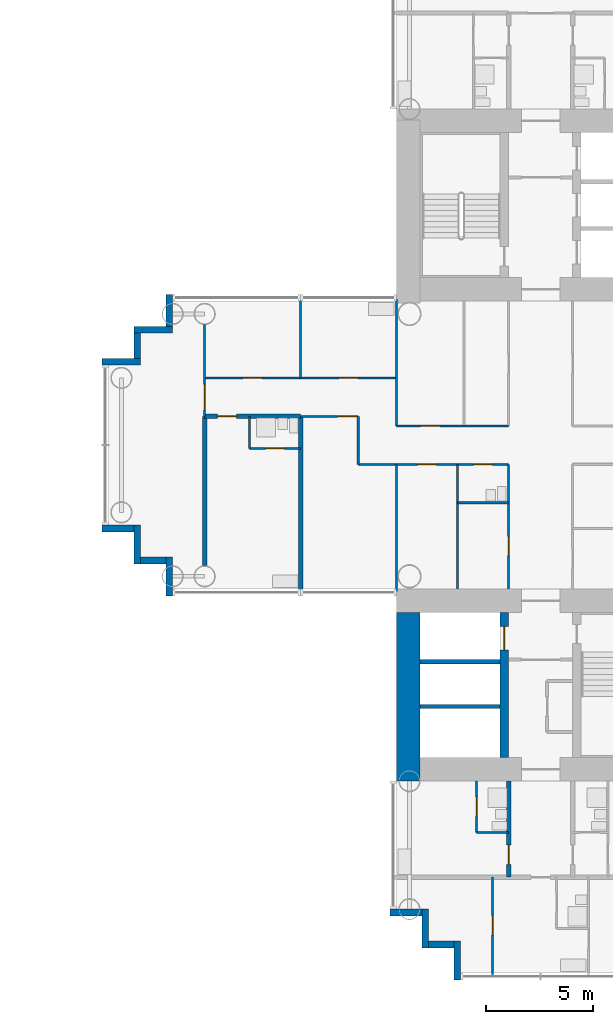
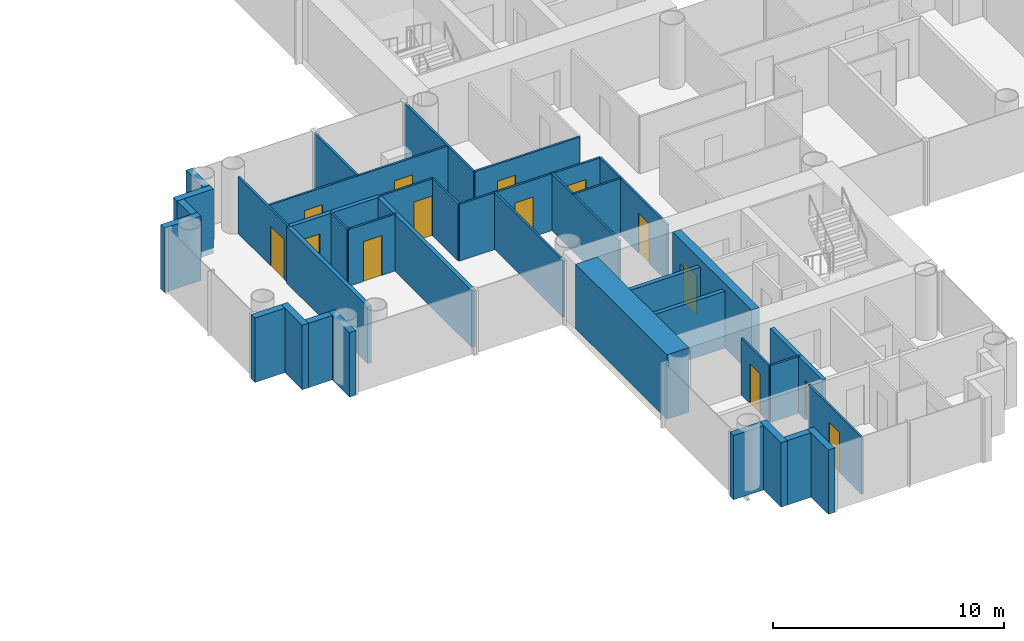
# One storey, part 12 of 21: 37 walls, 14 doors, 14 openings.
"""IFC4 building model written with IfcOpenShell, lengths in metres."""

from ifc_helpers import new_model, si_unit, direction, frame, frame_2d, origin, place, context, subcontext, project, spatial, rectangle, extrude, material, layer, layer_set, type_object, element, fill, save


model = new_model("IFC4")

# Units and contexts
model_context = context("Model", 3, precision=1e-05, world=origin(), true_north=direction((0.0, 1.0)))
body_context = subcontext(model_context, "Body", "Model", "MODEL_VIEW")
ifc_project = project(units=[si_unit("LENGTHUNIT", "METRE"), si_unit("AREAUNIT", "SQUARE_METRE"), si_unit("VOLUMEUNIT", "CUBIC_METRE"), si_unit("PLANEANGLEUNIT", "RADIAN"), si_unit("MASSUNIT", "GRAM", prefix="KILO")], contexts=[model_context])

# Site, building, storey
site_placement = place(None, origin())
site = spatial("IfcSite", under=ifc_project, at=site_placement, CompositionType="ELEMENT")
building_placement = place(site_placement, origin())
building = spatial("IfcBuilding", under=site, at=building_placement, Name="Ipe Terrace Towers", CompositionType="ELEMENT")
storey_placement = place(building_placement, frame((0.0, 0.0, 48.300048828125)))
storey = spatial("IfcBuildingStorey", under=building, at=storey_placement, Name="L12", CompositionType="ELEMENT", Elevation=48.300048828125)

# Walls
ifc_material_1 = material(Name="Concrete C40/50 with buff precast cladding", Category="concrete")
ifc_layer_1 = layer(ifc_material_1, 0.320068359375)
ifc_layer_set_1 = layer_set([ifc_layer_1], Name="BUFF CLADDING WALL 320")
wall_type_1 = type_object("IfcWallType", Name="BUFF CLADDING WALL 320", PredefinedType="STANDARD", material=ifc_layer_set_1)
wall_1_placement = place(storey_placement, frame((18.590087890625, 7.070068359375, -0.300048828125), z_axis=(0.0, 0.0, 1.0), x_axis=(0.0, -1.0, 0.0)))
element("IfcWall", 1, at=wall_1_placement, inside=storey, type_object=wall_type_1, Name="T2-W-L12-34a wall", PredefinedType="STANDARD", context=body_context, shape_type="SweptSolid", body=[
    extrude(rectangle(XDim=1.5, YDim=0.320068359375, at=frame_2d((0.75, 0.0))), origin(), (0.0, 0.0, 1.0), 3.39990234375),
])
wall_2_placement = place(storey_placement, frame((18.75, 5.409912109375, -0.300048828125), z_axis=(0.0, 0.0, 1.0), x_axis=(-1.0, 0.0, 0.0)))
element("IfcWall", 2, at=wall_2_placement, inside=storey, type_object=wall_type_1, Name="T2-W-L12-35a wall", PredefinedType="STANDARD", context=body_context, shape_type="SweptSolid", body=[
    extrude(rectangle(XDim=1.820068359375, YDim=0.320068359375, at=frame_2d((0.91015625, 0.0))), origin(), (0.0, 0.0, 1.0), 3.39990234375),
])
wall_3_placement = place(storey_placement, frame((17.090087890625, 5.25, -0.300048828125), z_axis=(0.0, 0.0, 1.0), x_axis=(0.0, -1.0, 0.0)))
element("IfcWall", 3, at=wall_3_placement, inside=storey, type_object=wall_type_1, Name="T2-W-L12-36a wall", PredefinedType="STANDARD", context=body_context, shape_type="SweptSolid", body=[
    extrude(rectangle(XDim=1.179931640625, YDim=0.320068359375, at=frame_2d((0.58984375, 0.0))), origin(), (0.0, 0.0, 1.0), 3.39990234375),
])
wall_4_placement = place(storey_placement, frame((17.25, 3.909912109375, -0.300048828125), z_axis=(0.0, 0.0, 1.0), x_axis=(-1.0, 0.0, 0.0)))
element("IfcWall", 4, at=wall_4_placement, inside=storey, type_object=wall_type_1, Name="T2-W-L12-37a wall", PredefinedType="STANDARD", context=body_context, shape_type="SweptSolid", body=[
    extrude(rectangle(XDim=1.820068359375, YDim=0.320068359375, at=frame_2d((0.91015625, 0.0))), origin(), (0.0, 0.0, 1.0), 3.39990234375),
])
wall_5_placement = place(storey_placement, frame((15.429931640625, -3.909912109375, -0.300048828125), z_axis=(0.0, 0.0, 1.0), x_axis=(1.0, 0.0, 0.0)))
element("IfcWall", 5, at=wall_5_placement, inside=storey, type_object=wall_type_1, Name="T2-W-L12-39a wall", PredefinedType="STANDARD", context=body_context, shape_type="SweptSolid", body=[
    extrude(rectangle(XDim=1.5, YDim=0.320068359375, at=frame_2d((0.75, 0.0))), origin(), (0.0, 0.0, 1.0), 3.39990234375),
])
wall_6_placement = place(storey_placement, frame((17.090087890625, -3.75, -0.300048828125), z_axis=(0.0, 0.0, 1.0), x_axis=(0.0, -1.0, 0.0)))
element("IfcWall", 6, at=wall_6_placement, inside=storey, type_object=wall_type_1, Name="T2-W-L12-40a wall", PredefinedType="STANDARD", context=body_context, shape_type="SweptSolid", body=[
    extrude(rectangle(XDim=1.820068359375, YDim=0.320068359375, at=frame_2d((0.91015625, 0.0))), origin(), (0.0, 0.0, 1.0), 3.39990234375),
])
wall_7_placement = place(storey_placement, frame((17.25, -5.409912109375, -0.300048828125), z_axis=(0.0, 0.0, 1.0), x_axis=(1.0, 0.0, 0.0)))
element("IfcWall", 7, at=wall_7_placement, inside=storey, type_object=wall_type_1, Name="T2-W-L12-41a wall", PredefinedType="STANDARD", context=body_context, shape_type="SweptSolid", body=[
    extrude(rectangle(XDim=1.179931640625, YDim=0.320068359375, at=frame_2d((0.58984375, 0.0))), origin(), (0.0, 0.0, 1.0), 3.39990234375),
])
wall_8_placement = place(storey_placement, frame((18.590087890625, -5.25, -0.300048828125), z_axis=(0.0, 0.0, 1.0), x_axis=(0.0, -1.0, 0.0)))
element("IfcWall", 8, at=wall_8_placement, inside=storey, type_object=wall_type_1, Name="T2-W-L12-42a wall", PredefinedType="STANDARD", context=body_context, shape_type="SweptSolid", body=[
    extrude(rectangle(XDim=1.820068359375, YDim=0.320068359375, at=frame_2d((0.91015625, 0.0))), origin(), (0.0, 0.0, 1.0), 3.39990234375),
])
wall_9_placement = place(storey_placement, frame((28.929931640625, -21.909912109375, -0.300048828125), z_axis=(0.0, 0.0, 1.0), x_axis=(1.0, 0.0, 0.0)))
element("IfcWall", 9, at=wall_9_placement, inside=storey, type_object=wall_type_1, Name="T2-W-L12-47a wall", PredefinedType="STANDARD", context=body_context, shape_type="SweptSolid", body=[
    extrude(rectangle(XDim=1.5, YDim=0.320068359375, at=frame_2d((0.75, 0.0))), origin(), (0.0, 0.0, 1.0), 3.39990234375),
])
wall_10_placement = place(storey_placement, frame((30.590087890625, -21.75, -0.300048828125), z_axis=(0.0, 0.0, 1.0), x_axis=(0.0, -1.0, 0.0)))
element("IfcWall", 10, at=wall_10_placement, inside=storey, type_object=wall_type_1, Name="T2-W-L12-48a wall", PredefinedType="STANDARD", context=body_context, shape_type="SweptSolid", body=[
    extrude(rectangle(XDim=1.820068359375, YDim=0.320068359375, at=frame_2d((0.91015625, 0.0))), origin(), (0.0, 0.0, 1.0), 3.39990234375),
])
wall_11_placement = place(storey_placement, frame((30.75, -23.409912109375, -0.300048828125), z_axis=(0.0, 0.0, 1.0), x_axis=(1.0, 0.0, 0.0)))
element("IfcWall", 11, at=wall_11_placement, inside=storey, type_object=wall_type_1, Name="T2-W-L12-49a wall", PredefinedType="STANDARD", context=body_context, shape_type="SweptSolid", body=[
    extrude(rectangle(XDim=1.179931640625, YDim=0.320068359375, at=frame_2d((0.58984375, 0.0))), origin(), (0.0, 0.0, 1.0), 3.39990234375),
])
wall_12_placement = place(storey_placement, frame((32.090087890625, -23.25, -0.300048828125), z_axis=(0.0, 0.0, 1.0), x_axis=(0.0, -1.0, 0.0)))
element("IfcWall", 12, at=wall_12_placement, inside=storey, type_object=wall_type_1, Name="T2-W-L12-50a wall", PredefinedType="STANDARD", context=body_context, shape_type="SweptSolid", body=[
    extrude(rectangle(XDim=1.820068359375, YDim=0.320068359375, at=frame_2d((0.91015625, 0.0))), origin(), (0.0, 0.0, 1.0), 3.39990234375),
])
ifc_material_2 = material(Name="Gypsum board partition", Category="plasterboard")
ifc_layer_2 = layer(ifc_material_2, 0.10009765625)
ifc_layer_set_2 = layer_set([ifc_layer_2], Name="Gypsum board partition 100 mm")
wall_type_2 = type_object("IfcWallType", Name="Gypsum board partition 100 mm", PredefinedType="PARTITIONING", material=ifc_layer_set_2)
wall_13_placement = place(storey_placement, frame((34.5, -18.14990234375, 0.0), z_axis=(0.0, 0.0, 1.0), x_axis=(-1.0, 0.0, 0.0)))
element("IfcWall", 13, at=wall_13_placement, inside=storey, type_object=wall_type_2, Name="Gypsum board partition T2 L12 W04", PredefinedType="PARTITIONING", context=body_context, shape_type="SweptSolid", body=[
    extrude(rectangle(XDim=1.5, YDim=0.10009765625, at=frame_2d((0.75, 0.0))), origin(), (0.0, 0.0, 1.0), 3.0),
])
wall_14_placement = place(storey_placement, frame((34.5, -2.699951171875, 0.0), z_axis=(0.0, 0.0, 1.0), x_axis=(-1.0, 0.0, 0.0)))
element("IfcWall", 14, at=wall_14_placement, inside=storey, type_object=wall_type_2, Name="Gypsum board partition T2 L12 W06", PredefinedType="PARTITIONING", context=body_context, shape_type="SweptSolid", body=[
    extrude(rectangle(XDim=2.39990234375, YDim=0.10009765625, at=frame_2d((1.199951171875, 0.0))), origin(), (0.0, 0.0, 1.0), 3.0),
])

# Wall, openings, doors
wall_15_placement = place(storey_placement, frame((34.5, -0.89990234375, 0.0), z_axis=(0.0, 0.0, 1.0), x_axis=(-1.0, 0.0, 0.0)))
wall_15 = element("IfcWall", 15, at=wall_15_placement, inside=storey, type_object=wall_type_2, Name="Gypsum board partition T2 L12 W08", PredefinedType="PARTITIONING", context=body_context, shape_type="SweptSolid", body=[
    extrude(rectangle(XDim=7.050048828125, YDim=0.10009765625, at=frame_2d((3.52490234375, 0.0))), origin(), (0.0, 0.0, 1.0), 3.0),
])
opening_1_placement = place(wall_15_placement, frame((0.75, 0.0, 0.0)))
opening_1 = element("IfcOpeningElement", 16, at=opening_1_placement, cuts=wall_15, Name="Opening T2-Z1C-01", PredefinedType="OPENING", context=body_context, shape_type="SweptSolid", body=[
    extrude(rectangle(XDim=0.89990234375, YDim=2.10009765625, at=frame_2d((0.449951171875, 1.050048828125))), frame((0.0, 0.06005859375, 0.0), z_axis=(0.0, -1.0, 0.0), x_axis=(1.0, 0.0, 0.0)), (0.0, 0.0, 1.0), 0.1201171875),
])
opening_2_placement = place(wall_15_placement, frame((3.375, 0.0, 0.0)))
opening_2 = element("IfcOpeningElement", 17, at=opening_2_placement, cuts=wall_15, Name="Opening T2-Z1C-05", PredefinedType="OPENING", context=body_context, shape_type="SweptSolid", body=[
    extrude(rectangle(XDim=0.89990234375, YDim=2.10009765625, at=frame_2d((0.449951171875, 1.050048828125))), frame((0.0, 0.06005859375, 0.0), z_axis=(0.0, -1.0, 0.0), x_axis=(1.0, 0.0, 0.0)), (0.0, 0.0, 1.0), 0.1201171875),
])
ifc_material_3 = material(Name="Timber door leaf", Category="wood")
door_type_1 = type_object("IfcDoorType", Name="Bathroom door 900 x 2100", OperationType="NOTDEFINED", PredefinedType="DOOR", material=ifc_material_3)
door_1_placement = place(opening_1_placement, origin())
door_1 = element("IfcDoor", 18, at=door_1_placement, inside=storey, type_object=door_type_1, Name="Bathroom door T2-Z1C-01", OperationType="SINGLE_SWING_RIGHT", OverallHeight=2.10009765625, OverallWidth=0.89990234375, PredefinedType="DOOR", context=body_context, shape_type="SweptSolid", body=[
    extrude(rectangle(XDim=0.89990234375, YDim=2.10009765625, at=frame_2d((0.449951171875, 1.050048828125))), frame((0.0, 0.02490234375, 0.0), z_axis=(0.0, -1.0, 0.0), x_axis=(1.0, 0.0, 0.0)), (0.0, 0.0, 1.0), 0.050048828125),
])
fill(opening_1, door_1)
ifc_material_4 = material(Name="Timber door leaf", Category="wood")
door_type_2 = type_object("IfcDoorType", Name="Lounge door 900 x 2100", OperationType="NOTDEFINED", PredefinedType="DOOR", material=ifc_material_4)
door_2_placement = place(opening_2_placement, origin())
door_2 = element("IfcDoor", 19, at=door_2_placement, inside=storey, type_object=door_type_2, Name="Lounge door T2-Z1C-05", OperationType="SINGLE_SWING_LEFT", OverallHeight=2.10009765625, OverallWidth=0.89990234375, PredefinedType="DOOR", context=body_context, shape_type="SweptSolid", body=[
    extrude(rectangle(XDim=0.89990234375, YDim=2.10009765625, at=frame_2d((0.449951171875, 1.050048828125))), frame((0.0, 0.02490234375, 0.0), z_axis=(0.0, -1.0, 0.0), x_axis=(1.0, 0.0, 0.0)), (0.0, 0.0, 1.0), 0.050048828125),
])
fill(opening_2, door_2)

# Wall, opening, door
wall_16_placement = place(storey_placement, frame((24.75, -0.14990234375, 0.0), z_axis=(0.0, 0.0, 1.0), x_axis=(-1.0, 0.0, 0.0)))
wall_16 = element("IfcWall", 20, at=wall_16_placement, inside=storey, type_object=wall_type_2, Name="Gypsum board partition T2 L12 W10", PredefinedType="PARTITIONING", context=body_context, shape_type="SweptSolid", body=[
    extrude(rectangle(XDim=2.39990234375, YDim=0.10009765625, at=frame_2d((1.199951171875, 0.0))), origin(), (0.0, 0.0, 1.0), 3.0),
])
opening_3_placement = place(wall_16_placement, frame((0.75, 0.0, 0.0)))
opening_3 = element("IfcOpeningElement", 21, at=opening_3_placement, cuts=wall_16, Name="Opening T2-Z1C-11", PredefinedType="OPENING", context=body_context, shape_type="SweptSolid", body=[
    extrude(rectangle(XDim=0.89990234375, YDim=2.10009765625, at=frame_2d((0.449951171875, 1.050048828125))), frame((0.0, 0.06005859375, 0.0), z_axis=(0.0, -1.0, 0.0), x_axis=(1.0, 0.0, 0.0)), (0.0, 0.0, 1.0), 0.1201171875),
])
door_3_placement = place(opening_3_placement, origin())
door_3 = element("IfcDoor", 22, at=door_3_placement, inside=storey, type_object=door_type_1, Name="Bathroom door T2-Z1C-11", OperationType="SINGLE_SWING_LEFT", OverallHeight=2.10009765625, OverallWidth=0.89990234375, PredefinedType="DOOR", context=body_context, shape_type="SweptSolid", body=[
    extrude(rectangle(XDim=0.89990234375, YDim=2.10009765625, at=frame_2d((0.449951171875, 1.050048828125))), frame((0.0, 0.02490234375, 0.0), z_axis=(0.0, -1.0, 0.0), x_axis=(1.0, 0.0, 0.0)), (0.0, 0.0, 1.0), 0.050048828125),
])
fill(opening_3, door_3)

wall_17_placement = place(storey_placement, frame((34.5, 0.89990234375, 0.0), z_axis=(0.0, 0.0, 1.0), x_axis=(-1.0, 0.0, 0.0)))
wall_17 = element("IfcWall", 23, at=wall_17_placement, inside=storey, type_object=wall_type_2, Name="Gypsum board partition T2 L12 W12", PredefinedType="PARTITIONING", context=body_context, shape_type="SweptSolid", body=[
    extrude(rectangle(XDim=5.25, YDim=0.10009765625, at=frame_2d((2.625, 0.0))), origin(), (0.0, 0.0, 1.0), 3.0),
])
opening_4_placement = place(wall_17_placement, frame((3.22509765625, 0.0, 0.0)))
opening_4 = element("IfcOpeningElement", 24, at=opening_4_placement, cuts=wall_17, Name="Opening T2-Z1C-03", PredefinedType="OPENING", context=body_context, shape_type="SweptSolid", body=[
    extrude(rectangle(XDim=0.89990234375, YDim=2.10009765625, at=frame_2d((0.449951171875, 1.050048828125))), frame((0.0, 0.06005859375, 0.0), z_axis=(0.0, -1.0, 0.0), x_axis=(1.0, 0.0, 0.0)), (0.0, 0.0, 1.0), 0.1201171875),
])
door_4_placement = place(opening_4_placement, origin())
door_4 = element("IfcDoor", 25, at=door_4_placement, inside=storey, type_object=door_type_2, Name="Lounge door T2-Z1C-03", OperationType="SINGLE_SWING_RIGHT", OverallHeight=2.10009765625, OverallWidth=0.89990234375, PredefinedType="DOOR", context=body_context, shape_type="SweptSolid", body=[
    extrude(rectangle(XDim=0.89990234375, YDim=2.10009765625, at=frame_2d((0.449951171875, 1.050048828125))), frame((0.0, 0.02490234375, 0.0), z_axis=(0.0, -1.0, 0.0), x_axis=(1.0, 0.0, 0.0)), (0.0, 0.0, 1.0), 0.050048828125),
])
fill(opening_4, door_4)

wall_18_placement = place(storey_placement, frame((27.449951171875, 1.35009765625, 0.0), z_axis=(0.0, 0.0, 1.0), x_axis=(-1.0, 0.0, 0.0)))
wall_18 = element("IfcWall", 26, at=wall_18_placement, inside=storey, type_object=wall_type_2, Name="Gypsum board partition T2 L12 W14", PredefinedType="PARTITIONING", context=body_context, shape_type="SweptSolid", body=[
    extrude(rectangle(XDim=2.699951171875, YDim=0.10009765625, at=frame_2d((1.35009765625, 0.0))), origin(), (0.0, 0.0, 1.0), 3.0),
])
opening_5_placement = place(wall_18_placement, frame((0.070068359375, 0.0, 0.0)))
opening_5 = element("IfcOpeningElement", 27, at=opening_5_placement, cuts=wall_18, Name="Opening T2-Z1C-09", PredefinedType="OPENING", context=body_context, shape_type="SweptSolid", body=[
    extrude(rectangle(XDim=0.89990234375, YDim=2.10009765625, at=frame_2d((0.449951171875, 1.050048828125))), frame((0.0, 0.06005859375, 0.0), z_axis=(0.0, -1.0, 0.0), x_axis=(1.0, 0.0, 0.0)), (0.0, 0.0, 1.0), 0.1201171875),
])
door_5_placement = place(opening_5_placement, origin())
door_5 = element("IfcDoor", 28, at=door_5_placement, inside=storey, type_object=door_type_2, Name="Lounge door T2-Z1C-09", OperationType="SINGLE_SWING_RIGHT", OverallHeight=2.10009765625, OverallWidth=0.89990234375, PredefinedType="DOOR", context=body_context, shape_type="SweptSolid", body=[
    extrude(rectangle(XDim=0.89990234375, YDim=2.10009765625, at=frame_2d((0.449951171875, 1.050048828125))), frame((0.0, 0.02490234375, 0.0), z_axis=(0.0, -1.0, 0.0), x_axis=(1.0, 0.0, 0.0)), (0.0, 0.0, 1.0), 0.050048828125),
])
fill(opening_5, door_5)

# Wall, openings, doors
wall_19_placement = place(storey_placement, frame((29.25, 3.14990234375, 0.0), z_axis=(0.0, 0.0, 1.0), x_axis=(-1.0, 0.0, 0.0)))
wall_19 = element("IfcWall", 29, at=wall_19_placement, inside=storey, type_object=wall_type_2, Name="Gypsum board partition T2 L12 W18", PredefinedType="PARTITIONING", context=body_context, shape_type="SweptSolid", body=[
    extrude(rectangle(XDim=9.0, YDim=0.10009765625, at=frame_2d((4.5, 0.0))), origin(), (0.0, 0.0, 1.0), 3.0),
])
opening_6_placement = place(wall_19_placement, frame((1.800048828125, 0.0, 0.0)))
opening_6 = element("IfcOpeningElement", 30, at=opening_6_placement, cuts=wall_19, Name="Opening T2-Z1C-12", PredefinedType="OPENING", context=body_context, shape_type="SweptSolid", body=[
    extrude(rectangle(XDim=0.89990234375, YDim=2.10009765625, at=frame_2d((0.449951171875, 1.050048828125))), frame((0.0, 0.06005859375, 0.0), z_axis=(0.0, -1.0, 0.0), x_axis=(1.0, 0.0, 0.0)), (0.0, 0.0, 1.0), 0.1201171875),
])
opening_7_placement = place(wall_19_placement, frame((6.300048828125, 0.0, 0.0)))
opening_7 = element("IfcOpeningElement", 31, at=opening_7_placement, cuts=wall_19, Name="Opening T2-Z1C-13", PredefinedType="OPENING", context=body_context, shape_type="SweptSolid", body=[
    extrude(rectangle(XDim=0.89990234375, YDim=2.10009765625, at=frame_2d((0.449951171875, 1.050048828125))), frame((0.0, 0.06005859375, 0.0), z_axis=(0.0, -1.0, 0.0), x_axis=(1.0, 0.0, 0.0)), (0.0, 0.0, 1.0), 0.1201171875),
])
door_6_placement = place(opening_6_placement, origin())
door_6 = element("IfcDoor", 32, at=door_6_placement, inside=storey, type_object=door_type_2, Name="Lounge door T2-Z1C-12", OperationType="SINGLE_SWING_LEFT", OverallHeight=2.10009765625, OverallWidth=0.89990234375, PredefinedType="DOOR", context=body_context, shape_type="SweptSolid", body=[
    extrude(rectangle(XDim=0.89990234375, YDim=2.10009765625, at=frame_2d((0.449951171875, 1.050048828125))), frame((0.0, 0.02490234375, 0.0), z_axis=(0.0, -1.0, 0.0), x_axis=(1.0, 0.0, 0.0)), (0.0, 0.0, 1.0), 0.050048828125),
])
fill(opening_6, door_6)
door_7_placement = place(opening_7_placement, origin())
door_7 = element("IfcDoor", 33, at=door_7_placement, inside=storey, type_object=door_type_2, Name="Lounge door T2-Z1C-13", OperationType="SINGLE_SWING_RIGHT", OverallHeight=2.10009765625, OverallWidth=0.89990234375, PredefinedType="DOOR", context=body_context, shape_type="SweptSolid", body=[
    extrude(rectangle(XDim=0.89990234375, YDim=2.10009765625, at=frame_2d((0.449951171875, 1.050048828125))), frame((0.0, 0.02490234375, 0.0), z_axis=(0.0, -1.0, 0.0), x_axis=(1.0, 0.0, 0.0)), (0.0, 0.0, 1.0), 0.050048828125),
])
fill(opening_7, door_7)

# Wall, opening, door
wall_20_placement = place(storey_placement, frame((34.5, -6.75, 0.0), z_axis=(0.0, 0.0, 1.0), x_axis=(0.0, 1.0, 0.0)))
wall_20 = element("IfcWall", 34, at=wall_20_placement, inside=storey, type_object=wall_type_2, Name="Gypsum board partition T2 L12 W40", PredefinedType="PARTITIONING", context=body_context, shape_type="SweptSolid", body=[
    extrude(rectangle(XDim=5.85009765625, YDim=0.10009765625, at=frame_2d((2.925048828125, 0.0))), origin(), (0.0, 0.0, 1.0), 3.0),
])
opening_8_placement = place(wall_20_placement, frame((1.574951171875, 0.0, 0.0)))
opening_8 = element("IfcOpeningElement", 35, at=opening_8_placement, cuts=wall_20, Name="Opening T2-Z1C-04", PredefinedType="OPENING", context=body_context, shape_type="SweptSolid", body=[
    extrude(rectangle(XDim=0.89990234375, YDim=2.10009765625, at=frame_2d((0.449951171875, 1.050048828125))), frame((0.0, 0.06005859375, 0.0), z_axis=(0.0, -1.0, 0.0), x_axis=(1.0, 0.0, 0.0)), (0.0, 0.0, 1.0), 0.1201171875),
])
door_8_placement = place(opening_8_placement, origin())
door_8 = element("IfcDoor", 36, at=door_8_placement, inside=storey, type_object=door_type_2, Name="Lounge door T2-Z1C-04", OperationType="SINGLE_SWING_RIGHT", OverallHeight=2.10009765625, OverallWidth=0.89990234375, PredefinedType="DOOR", context=body_context, shape_type="SweptSolid", body=[
    extrude(rectangle(XDim=0.89990234375, YDim=2.10009765625, at=frame_2d((0.449951171875, 1.050048828125))), frame((0.0, 0.02490234375, 0.0), z_axis=(0.0, -1.0, 0.0), x_axis=(1.0, 0.0, 0.0)), (0.0, 0.0, 1.0), 0.050048828125),
])
fill(opening_8, door_8)

wall_21_placement = place(storey_placement, frame((33.75, -24.85009765625, 0.0), z_axis=(0.0, 0.0, 1.0), x_axis=(0.0, 1.0, 0.0)))
wall_21 = element("IfcWall", 37, at=wall_21_placement, inside=storey, type_object=wall_type_2, Name="Gypsum board partition T2 L12 W44", PredefinedType="PARTITIONING", context=body_context, shape_type="SweptSolid", body=[
    extrude(rectangle(XDim=4.60009765625, YDim=0.10009765625, at=frame_2d((2.300048828125, 0.0))), origin(), (0.0, 0.0, 1.0), 3.0),
])
opening_9_placement = place(wall_21_placement, frame((1.89990234375, 0.0, 0.0)))
opening_9 = element("IfcOpeningElement", 38, at=opening_9_placement, cuts=wall_21, Name="Opening T2-Z1C-35", PredefinedType="OPENING", context=body_context, shape_type="SweptSolid", body=[
    extrude(rectangle(XDim=0.89990234375, YDim=2.10009765625, at=frame_2d((0.449951171875, 1.050048828125))), frame((0.0, 0.06005859375, 0.0), z_axis=(0.0, -1.0, 0.0), x_axis=(1.0, 0.0, 0.0)), (0.0, 0.0, 1.0), 0.1201171875),
])
door_9_placement = place(opening_9_placement, origin())
door_9 = element("IfcDoor", 39, at=door_9_placement, inside=storey, type_object=door_type_2, Name="Lounge door T2-Z1C-35", OperationType="SINGLE_SWING_LEFT", OverallHeight=2.10009765625, OverallWidth=0.89990234375, PredefinedType="DOOR", context=body_context, shape_type="SweptSolid", body=[
    extrude(rectangle(XDim=0.89990234375, YDim=2.10009765625, at=frame_2d((0.449951171875, 1.050048828125))), frame((0.0, 0.02490234375, 0.0), z_axis=(0.0, -1.0, 0.0), x_axis=(1.0, 0.0, 0.0)), (0.0, 0.0, 1.0), 0.050048828125),
])
fill(opening_9, door_9)

wall_22_placement = place(storey_placement, frame((33.0, -18.14990234375, 0.0), z_axis=(0.0, 0.0, 1.0), x_axis=(0.0, 1.0, 0.0)))
wall_22 = element("IfcWall", 40, at=wall_22_placement, inside=storey, type_object=wall_type_2, Name="Gypsum board partition T2 L12 W45", PredefinedType="PARTITIONING", context=body_context, shape_type="SweptSolid", body=[
    extrude(rectangle(XDim=2.39990234375, YDim=0.10009765625, at=frame_2d((1.199951171875, 0.0))), origin(), (0.0, 0.0, 1.0), 3.0),
])
opening_10_placement = place(wall_22_placement, frame((0.75, 0.0, 0.0)))
opening_10 = element("IfcOpeningElement", 41, at=opening_10_placement, cuts=wall_22, Name="Opening T2-Z1C-31", PredefinedType="OPENING", context=body_context, shape_type="SweptSolid", body=[
    extrude(rectangle(XDim=0.89990234375, YDim=2.10009765625, at=frame_2d((0.449951171875, 1.050048828125))), frame((0.0, 0.06005859375, 0.0), z_axis=(0.0, -1.0, 0.0), x_axis=(1.0, 0.0, 0.0)), (0.0, 0.0, 1.0), 0.1201171875),
])
door_10_placement = place(opening_10_placement, origin())
door_10 = element("IfcDoor", 42, at=door_10_placement, inside=storey, type_object=door_type_1, Name="Bathroom door T2-Z1C-31", OperationType="SINGLE_SWING_RIGHT", OverallHeight=2.10009765625, OverallWidth=0.89990234375, PredefinedType="DOOR", context=body_context, shape_type="SweptSolid", body=[
    extrude(rectangle(XDim=0.89990234375, YDim=2.10009765625, at=frame_2d((0.449951171875, 1.050048828125))), frame((0.0, 0.02490234375, 0.0), z_axis=(0.0, -1.0, 0.0), x_axis=(1.0, 0.0, 0.0)), (0.0, 0.0, 1.0), 0.050048828125),
])
fill(opening_10, door_10)

# Walls
wall_23_placement = place(storey_placement, frame((32.10009765625, -6.75, 0.0), z_axis=(0.0, 0.0, 1.0), x_axis=(0.0, 1.0, 0.0)))
element("IfcWall", 43, at=wall_23_placement, inside=storey, type_object=wall_type_2, Name="Gypsum board partition T2 L12 W48", PredefinedType="PARTITIONING", context=body_context, shape_type="SweptSolid", body=[
    extrude(rectangle(XDim=5.85009765625, YDim=0.10009765625, at=frame_2d((2.925048828125, 0.0))), origin(), (0.0, 0.0, 1.0), 3.0),
])
for number, where, z_axis, x_axis, name in (
    (44, (29.25, -6.85009765625, 0.0), (0.0, 0.0, 1.0), (0.0, 1.0, 0.0), "Gypsum board partition T2 L12 W49"),
    (45, (29.25, 0.89990234375, 0.0), (0.0, 0.0, 1.0), (0.0, 1.0, 0.0), "Gypsum board partition T2 L12 W50"),
):
    element("IfcWall", number, at=place(storey_placement, frame(where, z_axis=z_axis, x_axis=x_axis)), inside=storey, type_object=wall_type_2, Name=name, PredefinedType="PARTITIONING", context=body_context, shape_type="SweptSolid", body=[
        extrude(rectangle(XDim=5.9501953125, YDim=0.10009765625, at=frame_2d((2.97509765625, 0.0))), origin(), (0.0, 0.0, 1.0), 3.0),
    ])
wall_24_placement = place(storey_placement, frame((27.449951171875, -0.89990234375, 0.0), z_axis=(0.0, 0.0, 1.0), x_axis=(0.0, 1.0, 0.0)))
element("IfcWall", 46, at=wall_24_placement, inside=storey, type_object=wall_type_2, Name="Gypsum board partition T2 L12 W51", PredefinedType="PARTITIONING", context=body_context, shape_type="SweptSolid", body=[
    extrude(rectangle(XDim=2.25, YDim=0.10009765625, at=frame_2d((1.125, 0.0))), origin(), (0.0, 0.0, 1.0), 3.0),
])
wall_25_placement = place(storey_placement, frame((24.75, 3.14990234375, 0.0), z_axis=(0.0, 0.0, 1.0), x_axis=(0.0, 1.0, 0.0)))
element("IfcWall", 47, at=wall_25_placement, inside=storey, type_object=wall_type_2, Name="Gypsum board partition T2 L12 W52", PredefinedType="PARTITIONING", context=body_context, shape_type="SweptSolid", body=[
    extrude(rectangle(XDim=3.7001953125, YDim=0.10009765625, at=frame_2d((1.85009765625, 0.0))), origin(), (0.0, 0.0, 1.0), 3.0),
])
wall_26_placement = place(storey_placement, frame((22.35009765625, -0.14990234375, 0.0), z_axis=(0.0, 0.0, 1.0), x_axis=(0.0, 1.0, 0.0)))
element("IfcWall", 48, at=wall_26_placement, inside=storey, type_object=wall_type_2, Name="Gypsum board partition T2 L12 W54", PredefinedType="PARTITIONING", context=body_context, shape_type="SweptSolid", body=[
    extrude(rectangle(XDim=1.5, YDim=0.10009765625, at=frame_2d((0.75, 0.0))), origin(), (0.0, 0.0, 1.0), 3.0),
])

# Wall, opening, door
wall_27_placement = place(storey_placement, frame((20.25, 1.35009765625, 0.0), z_axis=(0.0, 0.0, 1.0), x_axis=(0.0, 1.0, 0.0)))
wall_27 = element("IfcWall", 49, at=wall_27_placement, inside=storey, type_object=wall_type_2, Name="Gypsum board partition T2 L12 W55", PredefinedType="PARTITIONING", context=body_context, shape_type="SweptSolid", body=[
    extrude(rectangle(XDim=4.2998046875, YDim=0.10009765625, at=frame_2d((2.14990234375, 0.0))), origin(), (0.0, 0.0, 1.0), 3.0),
])
opening_11_placement = place(wall_27_placement, frame((0.300048828125, 0.0, 0.0)))
opening_11 = element("IfcOpeningElement", 50, at=opening_11_placement, cuts=wall_27, Name="Opening T2-Z1C-14", PredefinedType="OPENING", context=body_context, shape_type="SweptSolid", body=[
    extrude(rectangle(XDim=1.199951171875, YDim=2.10009765625, at=frame_2d((0.60009765625, 1.050048828125))), frame((0.0, 0.06005859375, 0.0), z_axis=(0.0, -1.0, 0.0), x_axis=(1.0, 0.0, 0.0)), (0.0, 0.0, 1.0), 0.1201171875),
])
ifc_material_5 = material(Name="Timber door leaf", Category="wood")
door_type_3 = type_object("IfcDoorType", Name="Lounge door 1200 x 2100", OperationType="NOTDEFINED", PredefinedType="DOOR", material=ifc_material_5)
door_11_placement = place(opening_11_placement, origin())
door_11 = element("IfcDoor", 51, at=door_11_placement, inside=storey, type_object=door_type_3, Name="Lounge door T2-Z1C-14", OperationType="SINGLE_SWING_RIGHT", OverallHeight=2.10009765625, OverallWidth=1.199951171875, PredefinedType="DOOR", context=body_context, shape_type="SweptSolid", body=[
    extrude(rectangle(XDim=1.199951171875, YDim=2.10009765625, at=frame_2d((0.60009765625, 1.050048828125))), frame((0.0, 0.02490234375, 0.0), z_axis=(0.0, -1.0, 0.0), x_axis=(1.0, 0.0, 0.0)), (0.0, 0.0, 1.0), 0.050048828125),
])
fill(opening_11, door_11)

# Walls
ifc_material_6 = material(Name="Gypsum board party wall", Category="plasterboard")
ifc_layer_3 = layer(ifc_material_6, 0.199951171875)
ifc_layer_set_3 = layer_set([ifc_layer_3], Name="Gypsum board party wall 200 mm")
wall_type_3 = type_object("IfcWallType", Name="Gypsum board party wall 200 mm", PredefinedType="SOLIDWALL", material=ifc_layer_set_3)
for number, where, z_axis, x_axis, name in (
    (52, (30.35009765625, -10.14990234375, 0.0), (0.0, 0.0, 1.0), (1.0, 0.0, 0.0), "Gypsum board party wall T2 L12 t2c2-shaft-div1"),
    (53, (30.35009765625, -12.25, 0.0), (0.0, 0.0, 1.0), (1.0, 0.0, 0.0), "Gypsum board party wall T2 L12 t2c2-shaft-div2"),
):
    element("IfcWall", number, at=place(storey_placement, frame(where, z_axis=z_axis, x_axis=x_axis)), inside=storey, type_object=wall_type_3, Name=name, PredefinedType="SOLIDWALL", context=body_context, shape_type="SweptSolid", body=[
        extrude(rectangle(XDim=3.75, YDim=0.199951171875, at=frame_2d((1.875, 0.0))), origin(), (0.0, 0.0, 1.0), 3.0),
    ])

# Wall, opening, door
wall_28_placement = place(storey_placement, frame((24.75, 1.35009765625, 0.0), z_axis=(0.0, 0.0, 1.0), x_axis=(-1.0, 0.0, 0.0)))
wall_28 = element("IfcWall", 54, at=wall_28_placement, inside=storey, type_object=wall_type_3, Name="Gypsum board party wall T2 L12 W16", PredefinedType="SOLIDWALL", context=body_context, shape_type="SweptSolid", body=[
    extrude(rectangle(XDim=4.5, YDim=0.199951171875, at=frame_2d((2.25, 0.0))), origin(), (0.0, 0.0, 1.0), 3.0),
])
opening_12_placement = place(wall_28_placement, frame((3.0, 0.0, 0.0)))
opening_12 = element("IfcOpeningElement", 55, at=opening_12_placement, cuts=wall_28, Name="Opening T2-Z1C-10", PredefinedType="OPENING", context=body_context, shape_type="SweptSolid", body=[
    extrude(rectangle(XDim=0.89990234375, YDim=2.10009765625, at=frame_2d((0.449951171875, 1.050048828125))), frame((0.0, 0.10986328125, 0.0), z_axis=(0.0, -1.0, 0.0), x_axis=(1.0, 0.0, 0.0)), (0.0, 0.0, 1.0), 0.219970703125),
])
ifc_material_7 = material(Name="Fire-rated timber door leaf", Category="wood")
door_type_4 = type_object("IfcDoorType", Name="Flat entrance door 900 x 2100 FD30S", OperationType="NOTDEFINED", PredefinedType="DOOR", material=ifc_material_7)
door_12_placement = place(opening_12_placement, origin())
door_12 = element("IfcDoor", 56, at=door_12_placement, inside=storey, type_object=door_type_4, Name="Flat entrance door T2-Z1C-10", OperationType="SINGLE_SWING_LEFT", OverallHeight=2.10009765625, OverallWidth=0.89990234375, PredefinedType="DOOR", context=body_context, shape_type="SweptSolid", body=[
    extrude(rectangle(XDim=0.89990234375, YDim=2.10009765625, at=frame_2d((0.449951171875, 1.050048828125))), frame((0.0, 0.02490234375, 0.0), z_axis=(0.0, -1.0, 0.0), x_axis=(1.0, 0.0, 0.0)), (0.0, 0.0, 1.0), 0.050048828125),
])
fill(opening_12, door_12)

wall_29_placement = place(storey_placement, frame((34.5, -20.25, 0.0), z_axis=(0.0, 0.0, 1.0), x_axis=(0.0, 1.0, 0.0)))
wall_29 = element("IfcWall", 57, at=wall_29_placement, inside=storey, type_object=wall_type_3, Name="Gypsum board party wall T2 L12 W42", PredefinedType="SOLIDWALL", context=body_context, shape_type="SweptSolid", body=[
    extrude(rectangle(XDim=4.5, YDim=0.199951171875, at=frame_2d((2.25, 0.0))), origin(), (0.0, 0.0, 1.0), 3.0),
])
opening_13_placement = place(wall_29_placement, frame((0.60009765625, 0.0, 0.0)))
opening_13 = element("IfcOpeningElement", 58, at=opening_13_placement, cuts=wall_29, Name="Opening T2-Z1C-30", PredefinedType="OPENING", context=body_context, shape_type="SweptSolid", body=[
    extrude(rectangle(XDim=0.89990234375, YDim=2.10009765625, at=frame_2d((0.449951171875, 1.050048828125))), frame((0.0, 0.10986328125, 0.0), z_axis=(0.0, -1.0, 0.0), x_axis=(1.0, 0.0, 0.0)), (0.0, 0.0, 1.0), 0.219970703125),
])
door_13_placement = place(opening_13_placement, origin())
door_13 = element("IfcDoor", 59, at=door_13_placement, inside=storey, type_object=door_type_4, Name="Flat entrance door T2-Z1C-30", OperationType="SINGLE_SWING_RIGHT", OverallHeight=2.10009765625, OverallWidth=0.89990234375, PredefinedType="DOOR", context=body_context, shape_type="SweptSolid", body=[
    extrude(rectangle(XDim=0.89990234375, YDim=2.10009765625, at=frame_2d((0.449951171875, 1.050048828125))), frame((0.0, 0.02490234375, 0.0), z_axis=(0.0, -1.0, 0.0), x_axis=(1.0, 0.0, 0.0)), (0.0, 0.0, 1.0), 0.050048828125),
])
fill(opening_13, door_13)

# Walls
wall_30_placement = place(storey_placement, frame((24.75, -6.85009765625, 0.0), z_axis=(0.0, 0.0, 1.0), x_axis=(0.0, 1.0, 0.0)))
element("IfcWall", 60, at=wall_30_placement, inside=storey, type_object=wall_type_3, Name="Gypsum board party wall T2 L12 W53", PredefinedType="SOLIDWALL", context=body_context, shape_type="SweptSolid", body=[
    extrude(rectangle(XDim=8.2001953125, YDim=0.199951171875, at=frame_2d((4.10009765625, 0.0))), origin(), (0.0, 0.0, 1.0), 3.0),
])
wall_31_placement = place(storey_placement, frame((20.25, -5.64990234375, 0.0), z_axis=(0.0, 0.0, 1.0), x_axis=(0.0, 1.0, 0.0)))
element("IfcWall", 61, at=wall_31_placement, inside=storey, type_object=wall_type_3, Name="Gypsum board party wall T2 L12 W56", PredefinedType="SOLIDWALL", context=body_context, shape_type="SweptSolid", body=[
    extrude(rectangle(XDim=7.0, YDim=0.199951171875, at=frame_2d((3.5, 0.0))), origin(), (0.0, 0.0, 1.0), 3.0),
])
ifc_material_8 = material(Name="Concrete C60/75", Category="concrete")
ifc_layer_4 = layer(ifc_material_8, 1.10009765625)
ifc_layer_set_4 = layer_set([ifc_layer_4], Name="RW1100 CORE WALL 1100 C60-75")
wall_type_4 = type_object("IfcWallType", Name="RW1100 CORE WALL 1100 C60-75", PredefinedType="SHEAR", material=ifc_layer_set_4)
wall_32_placement = place(storey_placement, frame((29.800048828125, -7.85009765625, 0.0), z_axis=(0.0, 0.0, 1.0), x_axis=(0.0, -1.0, 0.0)))
element("IfcWall", 62, at=wall_32_placement, inside=storey, type_object=wall_type_4, Name="Core wall T2-C2-Z1-W04", PredefinedType="SHEAR", context=body_context, shape_type="SweptSolid", body=[
    extrude(rectangle(XDim=7.89990234375, YDim=1.10009765625, at=frame_2d((3.949951171875, 0.0))), origin(), (0.0, 0.0, 1.0), 3.39990234375),
])

# Wall, opening, door
ifc_material_9 = material(Name="Concrete C60/75", Category="concrete")
ifc_layer_5 = layer(ifc_material_9, 0.39990234375)
ifc_layer_set_5 = layer_set([ifc_layer_5], Name="RW400 CORE SPINE WALL 400 C60-75")
wall_type_5 = type_object("IfcWallType", Name="RW400 CORE SPINE WALL 400 C60-75", PredefinedType="SHEAR", material=ifc_layer_set_5)
wall_33_placement = place(storey_placement, frame((34.300048828125, -14.64990234375, 0.0), z_axis=(0.0, 0.0, 1.0), x_axis=(0.0, 1.0, 0.0)))
wall_33 = element("IfcWall", 63, at=wall_33_placement, inside=storey, type_object=wall_type_5, Name="Core spine wall T2-C2-Z1-SW1", PredefinedType="SHEAR", context=body_context, shape_type="SweptSolid", body=[
    extrude(rectangle(XDim=6.7998046875, YDim=0.39990234375, at=frame_2d((3.39990234375, 0.0))), origin(), (0.0, 0.0, 1.0), 3.39990234375),
])
opening_14_placement = place(wall_33_placement, frame((5.050048828125, 0.0, 0.0)))
opening_14 = element("IfcOpeningElement", 64, at=opening_14_placement, cuts=wall_33, Name="Opening T2C2-LD1", PredefinedType="OPENING", context=body_context, shape_type="SweptSolid", body=[
    extrude(rectangle(XDim=1.10009765625, YDim=2.10009765625, at=frame_2d((0.550048828125, 1.050048828125))), frame((0.0, 0.2099609375, 0.0), z_axis=(0.0, -1.0, 0.0), x_axis=(1.0, 0.0, 0.0)), (0.0, 0.0, 1.0), 0.419921875),
])
ifc_material_10 = material(Name="Fire-rated timber door leaf", Category="wood")
door_type_5 = type_object("IfcDoorType", Name="Sliding door 1100 x 2100 FD60", OperationType="SLIDING_TO_LEFT", PredefinedType="DOOR", material=ifc_material_10)
door_14_placement = place(opening_14_placement, origin())
door_14 = element("IfcDoor", 65, at=door_14_placement, inside=storey, type_object=door_type_5, Name="Sliding door T2C2-LD1", OperationType="SLIDING_TO_LEFT", OverallHeight=2.10009765625, OverallWidth=1.10009765625, PredefinedType="DOOR", context=body_context, shape_type="SweptSolid", body=[
    extrude(rectangle(XDim=1.10009765625, YDim=2.10009765625, at=frame_2d((0.550048828125, 1.050048828125))), frame((0.0, 0.02490234375, 0.0), z_axis=(0.0, -1.0, 0.0), x_axis=(1.0, 0.0, 0.0)), (0.0, 0.0, 1.0), 0.050048828125),
])
fill(opening_14, door_14)

save(model, "model.ifc")
